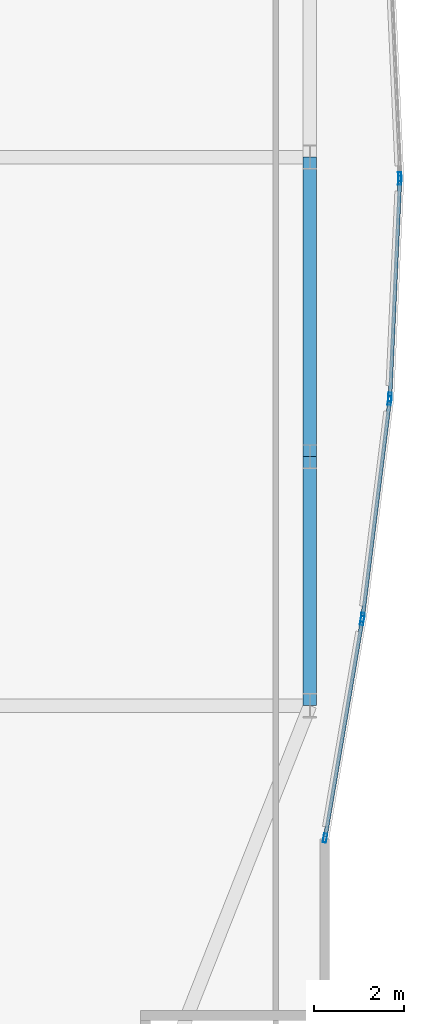
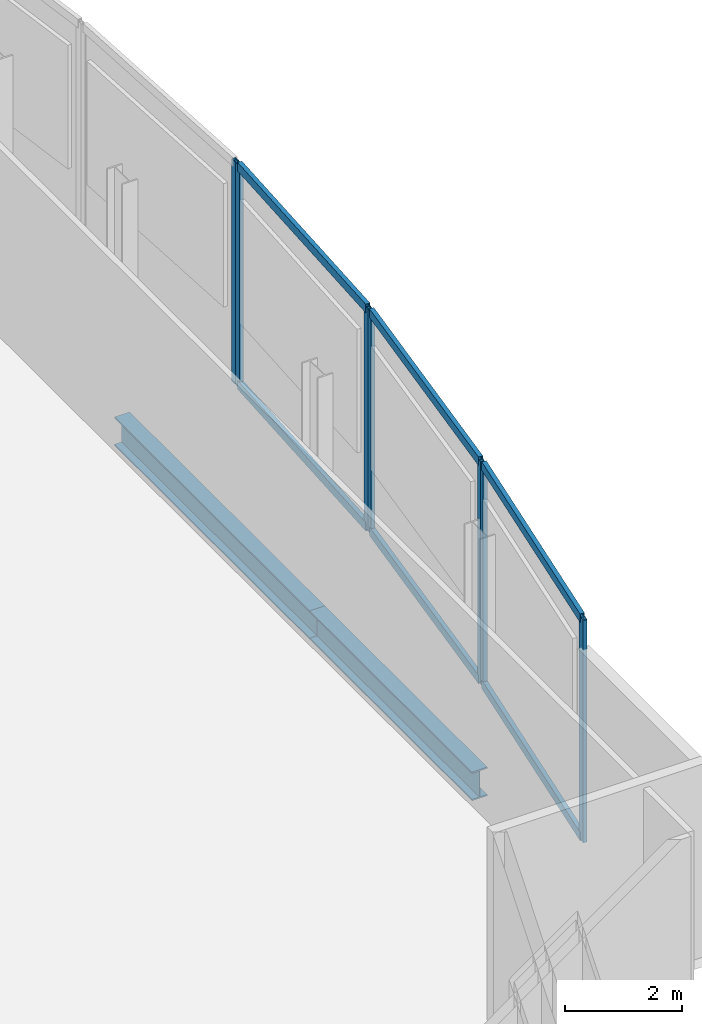
# One storey, part 21 of 30: 13 members, 2 beams, 4 elements without a shape of their own.
"""IFC4 building model written with IfcOpenShell, lengths in metres."""

import ifcopenshell
import ifcopenshell.guid

model = None  # the IFC model being written
_history = None  # IfcOwnerHistory: only IFC2X3 demands one
_inside = {}  # id of a spatial element -> (the spatial element, [elements in it])
_under = {}  # id of a project, library or spatial element -> (it, [spatial elements below it])
_declared = {}  # id of a project -> (the project, [libraries it declares])
_typed = {}  # id of a type object -> (the type object, [elements of that type])
_made_of = {}  # id of a material, layer set ... -> (it, [elements and type objects made of it])


def new_model(schema):
    """Start an empty IFC model of exactly this schema.

    Asked for "IFC4X3", IfcOpenShell would pick the latest addendum, in which some entities
    have other attributes; the version numbers below select the first issue.
    IFC2X3 requires an IfcOwnerHistory on every rooted entity: one is made here for all.
    """
    global model, _history
    if schema == "IFC4X3":
        model = ifcopenshell.file(schema_version=(4, 3, 0, 0))
    else:
        model = ifcopenshell.file(schema=schema)
    _inside.clear()
    _under.clear()
    _declared.clear()
    _typed.clear()
    _made_of.clear()
    _history = None
    if model.schema == "IFC2X3":
        org = make("IfcOrganization", Name="unknown")
        user = make(
            "IfcPersonAndOrganization",
            ThePerson=make("IfcPerson", FamilyName="unknown"),
            TheOrganization=org,
        )
        app = make(
            "IfcApplication",
            ApplicationDeveloper=org,
            Version="unknown",
            ApplicationFullName="unknown",
            ApplicationIdentifier="unknown",
        )
        _history = make(
            "IfcOwnerHistory",
            OwningUser=user,
            OwningApplication=app,
            ChangeAction="ADDED",
            CreationDate=0,
        )
    return model


def make(cls, **values):
    """One entity of the class cls with the attributes given. An attribute that is None is left unset."""
    return model.create_entity(
        cls, **{name: value for name, value in values.items() if value is not None}
    )


def rooted(cls, **values):
    """An entity with a GlobalId (a new one), such as an element, a storey or a relation."""
    return make(cls, GlobalId=ifcopenshell.guid.new(), OwnerHistory=_history, **values)


def si_unit(unit_type, name, prefix=None):
    """IfcSIUnit, for example si_unit("LENGTHUNIT", "METRE", prefix="MILLI")."""
    return make("IfcSIUnit", UnitType=unit_type, Prefix=prefix, Name=name)


def assignment(units):
    """IfcUnitAssignment: the units of a project."""
    return None if units is None else make("IfcUnitAssignment", Units=units)


def point(xyz):
    """IfcCartesianPoint."""
    return None if xyz is None else make("IfcCartesianPoint", Coordinates=xyz)


def direction(xyz):
    """IfcDirection."""
    return None if xyz is None else make("IfcDirection", DirectionRatios=xyz)


def frame(location, z_axis=None, x_axis=None):
    """IfcAxis2Placement3D, a coordinate frame: its origin and axes. An axis left out is left unset."""
    return make(
        "IfcAxis2Placement3D",
        Location=point(location),
        Axis=direction(z_axis),
        RefDirection=direction(x_axis),
    )


def frame_2d(location, x_axis=None):
    """IfcAxis2Placement2D, a coordinate frame in the plane: its origin and x axis."""
    return make(
        "IfcAxis2Placement2D", Location=point(location), RefDirection=direction(x_axis)
    )


def origin():
    """The frame at (0, 0, 0) with its axes left unset."""
    return frame((0.0, 0.0, 0.0))


def origin_2d():
    """The frame at (0, 0) in the plane with its x axis left unset."""
    return frame_2d((0.0, 0.0))


def place(relative_to, where):
    """IfcLocalPlacement: puts the frame where relative to a parent placement (None: the world)."""
    return make(
        "IfcLocalPlacement", PlacementRelTo=relative_to, RelativePlacement=where
    )


def context(
    kind, dimensions, precision=None, world=None, true_north=None, identifier=None
):
    """IfcGeometricRepresentationContext, for example the 3D "Model" context."""
    return make(
        "IfcGeometricRepresentationContext",
        ContextIdentifier=identifier,
        ContextType=kind,
        CoordinateSpaceDimension=dimensions,
        Precision=precision,
        WorldCoordinateSystem=world,
        TrueNorth=true_north,
    )


def subcontext(parent, identifier, kind, view, scale=None):
    """IfcGeometricRepresentationSubContext, for example "Body" below "Model"."""
    return make(
        "IfcGeometricRepresentationSubContext",
        ContextIdentifier=identifier,
        ContextType=kind,
        ParentContext=parent,
        TargetScale=scale,
        TargetView=view,
    )


def project(units=None, contexts=None):
    """IfcProject with its units and contexts."""
    return rooted(
        "IfcProject",
        Name="project",
        RepresentationContexts=contexts,
        UnitsInContext=assignment(units),
    )


def spatial(cls, under=None, at=None, **own):
    """A site, building, storey or space (cls), placed at a placement, below another one or the project."""
    s = rooted(cls, ObjectPlacement=at, **own)
    if under is not None:
        _under.setdefault(under.id(), (under, []))[1].append(s)
    return s


def profile(cls, at=None, kind="AREA", **sizes):
    """A parametric profile (cls). Its sizes go by their IFC names, for example OverallWidth=200.0."""
    return make(cls, ProfileType=kind, Position=at, **sizes)


def hollow_rectangle(**sizes):
    """IfcRectangleHollowProfileDef."""
    return profile("IfcRectangleHollowProfileDef", **sizes)


def i_section(**sizes):
    """IfcIShapeProfileDef."""
    return profile("IfcIShapeProfileDef", **sizes)


def extrude(swept, where, along, depth):
    """IfcExtrudedAreaSolid: the profile swept, set in the frame where, extruded along a direction by depth."""
    return make(
        "IfcExtrudedAreaSolid",
        SweptArea=swept,
        Position=where,
        ExtrudedDirection=direction(along),
        Depth=depth,
    )


def shape(context_of_items, identifier, shape_type, items):
    """IfcShapeRepresentation: the items that make up one representation, for example the "Body"."""
    return make(
        "IfcShapeRepresentation",
        ContextOfItems=context_of_items,
        RepresentationIdentifier=identifier,
        RepresentationType=shape_type,
        Items=items,
    )


def material(Name=None, Category=None):
    """IfcMaterial."""
    return make("IfcMaterial", Name=Name, Category=Category)


def material_profile(
    of_material, cross_section, Name=None, Category=None, Priority=None
):
    """IfcMaterialProfile: a cross section and its material."""
    return make(
        "IfcMaterialProfile",
        Name=Name,
        Material=of_material,
        Profile=cross_section,
        Priority=Priority,
        Category=Category,
    )


def profile_set(profiles, Name=None, composite=None):
    """IfcMaterialProfileSet."""
    return make(
        "IfcMaterialProfileSet",
        Name=Name,
        MaterialProfiles=profiles,
        CompositeProfile=composite,
    )


def made_of(thing, what):
    """Note that an element or type object is made of a material, layer set ...; save() writes the relation."""
    if what is not None:
        _made_of.setdefault(what.id(), (what, []))[1].append(thing)
    return thing


def type_object(cls, material=None, **own):
    """A type object (cls), such as IfcWallType, which elements share."""
    return made_of(rooted(cls, **own), material)


def element(
    cls,
    number,
    at=None,
    inside=None,
    cuts=None,
    type_object=None,
    material=None,
    context=None,
    identifier="Body",
    shape_type=None,
    held_by="IfcProductDefinitionShape",
    body=None,
    shapes=None,
    **own,
):
    """One element of the class cls, such as IfcWall. Its Tag is "e" and its number.

    at: its placement. inside: the storey or other place that contains it. cuts: it is an
    opening in that element (IfcRelVoidsElement). A single representation is given by context,
    identifier, shape_type and body (its items); several are given by shapes. held_by: the class
    of the entity that holds the representations. save() writes the other relations.
    """
    e = rooted(cls, Tag="e%d" % number, ObjectPlacement=at, **own)
    if body is not None:
        shapes = [shape(context, identifier, shape_type, body)]
    if shapes is not None:
        e.Representation = make(held_by, Representations=shapes)
    if inside is not None:
        _inside.setdefault(inside.id(), (inside, []))[1].append(e)
    if cuts is not None:
        rooted(
            "IfcRelVoidsElement", RelatingBuildingElement=cuts, RelatedOpeningElement=e
        )
    if type_object is not None:
        _typed.setdefault(type_object.id(), (type_object, []))[1].append(e)
    return made_of(e, material)


def aggregate(whole, parts):
    """IfcRelAggregates: a whole, such as a stair, and the parts it consists of."""
    return rooted("IfcRelAggregates", RelatingObject=whole, RelatedObjects=parts)


def save(model, path):
    """Write the relations noted so far, then the file.

    IfcRelAggregates (storeys below a building ...), IfcRelContainedInSpatialStructure (elements
    in a storey), IfcRelDefinesByType, IfcRelAssociatesMaterial and IfcRelDeclares: one each for
    every whole, place, type object, material and project.
    """
    for whole, parts in _under.values():
        aggregate(whole, parts)
    for where, things in _inside.values():
        rooted(
            "IfcRelContainedInSpatialStructure",
            RelatedElements=things,
            RelatingStructure=where,
        )
    for kind, things in _typed.values():
        rooted("IfcRelDefinesByType", RelatedObjects=things, RelatingType=kind)
    for what, things in _made_of.values():
        rooted("IfcRelAssociatesMaterial", RelatedObjects=things, RelatingMaterial=what)
    for by, libraries in _declared.values():
        rooted("IfcRelDeclares", RelatingContext=by, RelatedDefinitions=libraries)
    model.write(path)


model = new_model("IFC4")

# Units and contexts
model_context = context("Model", 3, precision=1e-05, world=origin(), true_north=direction((0.0, 1.0)))
body_context = subcontext(model_context, "Body", "Model", "MODEL_VIEW")
ifc_project = project(units=[si_unit("LENGTHUNIT", "METRE"), si_unit("AREAUNIT", "SQUARE_METRE"), si_unit("VOLUMEUNIT", "CUBIC_METRE"), si_unit("PLANEANGLEUNIT", "RADIAN"), si_unit("MASSUNIT", "GRAM", prefix="KILO")], contexts=[model_context])

# Site, building, storey
site_placement = place(None, origin())
site = spatial("IfcSite", under=ifc_project, at=site_placement, CompositionType="ELEMENT")
building_placement = place(site_placement, origin())
building = spatial("IfcBuilding", under=site, at=building_placement, Name="Khoronbel Lancet Exchange", CompositionType="ELEMENT")
storey_placement = place(building_placement, frame((0.0, 0.0, 172.199951171875)))
storey = spatial("IfcBuildingStorey", under=building, at=storey_placement, Name="L43", CompositionType="ELEMENT", Elevation=172.199951171875)

# Beams
ifc_material_1 = material(Name="Steel S355", Category="steel")
ifc_material_profile_1 = material_profile(ifc_material_1, i_section(OverallWidth=0.300048828125, OverallDepth=0.60009765625, WebThickness=0.015380859375, FlangeThickness=0.030029296875, at=origin_2d()), Name="HEB 600")
ifc_profile_set_1 = profile_set([ifc_material_profile_1], Name="Steel S355")
beam_type = type_object("IfcBeamType", Name="BM-BSP2", PredefinedType="SPANDREL", material=ifc_profile_set_1)
beam_1_placement = place(storey_placement, frame((67.6298828125, 19.199951171875, -0.52001953125), z_axis=(0.0, 1.0, 0.0), x_axis=(-1.0, 0.0, 0.0)))
element("IfcBeam", 1, at=beam_1_placement, inside=storey, type_object=beam_type, Name="Level L43 perimeter spandrel beam SP11", PredefinedType="SPANDREL", context=body_context, shape_type="SweptSolid", body=[
    extrude(i_section(OverallWidth=0.300048828125, OverallDepth=0.60009765625, WebThickness=0.015380859375, FlangeThickness=0.030029296875, at=origin_2d()), origin(), (0.0, 0.0, 1.0), 5.550048828125),
])
beam_2_placement = place(storey_placement, frame((67.6298828125, 24.75, -0.52001953125), z_axis=(0.0, 1.0, 0.0), x_axis=(-1.0, 0.0, 0.0)))
element("IfcBeam", 2, at=beam_2_placement, inside=storey, type_object=beam_type, Name="Level L43 perimeter spandrel beam SP12", PredefinedType="SPANDREL", context=body_context, shape_type="SweptSolid", body=[
    extrude(i_section(OverallWidth=0.300048828125, OverallDepth=0.60009765625, WebThickness=0.015380859375, FlangeThickness=0.030029296875, at=origin_2d()), origin(), (0.0, 0.0, 1.0), 6.675048828125),
])

# Curtain wall, member
ifc_material_2 = material(Name="Low-E Solar Control Insulating Glass", Category="glass")
curtain_wall_type = type_object("IfcCurtainWallType", Name="CW-4", PredefinedType="NOTDEFINED", material=ifc_material_2)
curtain_wall_1_placement = place(storey_placement, origin())
curtain_wall_1 = element("IfcCurtainWall", 3, at=curtain_wall_1_placement, inside=storey, type_object=curtain_wall_type, Name="Unitised curtain wall CW-L43-E19", PredefinedType="NOTDEFINED")
ifc_material_3 = material(Name="Bronze-Anodised Aluminium 6063-T6", Category="aluminium")
ifc_material_profile_2 = material_profile(ifc_material_3, hollow_rectangle(XDim=0.074951171875, YDim=0.199951171875, WallThickness=0.0048828125, at=origin_2d()), Name="ALU MULLION 75x200")
ifc_profile_set_2 = profile_set([ifc_material_profile_2], Name="Bronze-Anodised Aluminium 6063-T6")
member_type_1 = type_object("IfcMemberType", Name="MEM-CWM2", PredefinedType="MULLION", material=ifc_profile_set_2)
member_1_placement = place(storey_placement, frame((69.63427734375, 30.987548828125, 0.0), z_axis=(0.0, 0.0, 1.0), x_axis=(0.998959668299, 0.045602424407, 0.0)))
member_1 = element("IfcMember", 4, at=member_1_placement, type_object=member_type_1, Name="CW4 mullion 2", PredefinedType="MULLION", context=body_context, shape_type="SweptSolid", body=[
    extrude(hollow_rectangle(XDim=0.074951171875, YDim=0.199951171875, WallThickness=0.0048828125, at=origin_2d()), origin(), (0.0, 0.0, 1.0), 4.64013671875),
])
aggregate(curtain_wall_1, [member_1])

# Curtain wall, members
curtain_wall_2_placement = place(storey_placement, origin())
curtain_wall_2 = element("IfcCurtainWall", 5, at=curtain_wall_2_placement, inside=storey, type_object=curtain_wall_type, Name="Unitised curtain wall CW-L43-E20", PredefinedType="NOTDEFINED")
member_2_placement = place(storey_placement, frame((69.63427734375, 30.91259765625, 0.0), z_axis=(0.0, 0.0, 1.0), x_axis=(0.998959668299, -0.045602424407, 0.0)))
member_2 = element("IfcMember", 6, at=member_2_placement, type_object=member_type_1, Name="CW4 mullion 1", PredefinedType="MULLION", context=body_context, shape_type="SweptSolid", body=[
    extrude(hollow_rectangle(XDim=0.074951171875, YDim=0.199951171875, WallThickness=0.0048828125, at=origin_2d()), origin(), (0.0, 0.0, 1.0), 4.64013671875),
])
member_3_placement = place(storey_placement, frame((69.41357421875, 26.078369140625, 0.0), z_axis=(0.0, 0.0, 1.0), x_axis=(0.998959668299, -0.045602424407, 0.0)))
member_3 = element("IfcMember", 7, at=member_3_placement, type_object=member_type_1, Name="CW4 mullion 2", PredefinedType="MULLION", context=body_context, shape_type="SweptSolid", body=[
    extrude(hollow_rectangle(XDim=0.074951171875, YDim=0.199951171875, WallThickness=0.0048828125, at=origin_2d()), origin(), (0.0, 0.0, 1.0), 4.64013671875),
])

curtain_wall_3_placement = place(storey_placement, origin())
curtain_wall_3 = element("IfcCurtainWall", 8, at=curtain_wall_3_placement, inside=storey, type_object=curtain_wall_type, Name="Unitised curtain wall CW-L43-E21", PredefinedType="NOTDEFINED")
member_4_placement = place(storey_placement, frame((69.4072265625, 26.003662109375, 0.0), z_axis=(0.0, 0.0, 1.0), x_axis=(0.992302414475, -0.123838274483, 0.0)))
member_4 = element("IfcMember", 9, at=member_4_placement, type_object=member_type_1, Name="CW4 mullion 1", PredefinedType="MULLION", context=body_context, shape_type="SweptSolid", body=[
    extrude(hollow_rectangle(XDim=0.074951171875, YDim=0.199951171875, WallThickness=0.0048828125, at=origin_2d()), origin(), (0.0, 0.0, 1.0), 4.64013671875),
])
member_5_placement = place(storey_placement, frame((68.803466796875, 21.1669921875, 0.0), z_axis=(0.0, 0.0, 1.0), x_axis=(0.992302414475, -0.123838274483, 0.0)))
member_5 = element("IfcMember", 10, at=member_5_placement, type_object=member_type_1, Name="CW4 mullion 2", PredefinedType="MULLION", context=body_context, shape_type="SweptSolid", body=[
    extrude(hollow_rectangle(XDim=0.074951171875, YDim=0.199951171875, WallThickness=0.0048828125, at=origin_2d()), origin(), (0.0, 0.0, 1.0), 4.64013671875),
])

curtain_wall_4_placement = place(storey_placement, origin())
curtain_wall_4 = element("IfcCurtainWall", 11, at=curtain_wall_4_placement, inside=storey, type_object=curtain_wall_type, Name="Unitised curtain wall CW-L43-E22", PredefinedType="NOTDEFINED")
member_6_placement = place(storey_placement, frame((68.79248046875, 21.0927734375, 0.0), z_axis=(0.0, 0.0, 1.0), x_axis=(0.985785410135, -0.168009300828, 0.0)))
member_6 = element("IfcMember", 12, at=member_6_placement, type_object=member_type_1, Name="CW4 mullion 1", PredefinedType="MULLION", context=body_context, shape_type="SweptSolid", body=[
    extrude(hollow_rectangle(XDim=0.074951171875, YDim=0.199951171875, WallThickness=0.0048828125, at=origin_2d()), origin(), (0.0, 0.0, 1.0), 4.64013671875),
])
member_7_placement = place(storey_placement, frame((67.96630859375, 16.24462890625, 0.0), z_axis=(0.0, 0.0, 1.0), x_axis=(0.985785410135, -0.168009300828, 0.0)))
member_7 = element("IfcMember", 13, at=member_7_placement, type_object=member_type_1, Name="CW4 mullion 2", PredefinedType="MULLION", context=body_context, shape_type="SweptSolid", body=[
    extrude(hollow_rectangle(XDim=0.074951171875, YDim=0.199951171875, WallThickness=0.0048828125, at=origin_2d()), origin(), (0.0, 0.0, 1.0), 4.64013671875),
])

# Member
ifc_material_profile_3 = material_profile(ifc_material_3, hollow_rectangle(XDim=0.0849609375, YDim=0.179931640625, WallThickness=0.0048828125, at=origin_2d()), Name="ALU TRANSOM 85x180")
ifc_profile_set_3 = profile_set([ifc_material_profile_3], Name="Bronze-Anodised Aluminium 6063-T6")
member_type_2 = type_object("IfcMemberType", Name="MEM-CWT1", PredefinedType="USERDEFINED", material=ifc_profile_set_3)
member_8_placement = place(storey_placement, frame((69.632568359375, 30.875, 0.04248046875), z_axis=(-0.045607566219, -0.998959433563, 0.0), x_axis=(0.998959433563, -0.045607566219, 0.0)))
member_8 = element("IfcMember", 14, at=member_8_placement, type_object=member_type_2, Name="CW4 transom 1.1", ObjectType="TRANSOM", PredefinedType="USERDEFINED", context=body_context, shape_type="SweptSolid", body=[
    extrude(hollow_rectangle(XDim=0.0849609375, YDim=0.179931640625, WallThickness=0.0048828125, at=origin_2d()), origin(), (0.0, 0.0, 1.0), 4.76416015625),
])

member_9_placement = place(storey_placement, frame((69.632568359375, 30.875, 4.59765625), z_axis=(-0.045607566219, -0.998959433563, 0.0), x_axis=(0.998959433563, -0.045607566219, 0.0)))
member_9 = element("IfcMember", 15, at=member_9_placement, type_object=member_type_2, Name="CW4 transom 1.2", ObjectType="TRANSOM", PredefinedType="USERDEFINED", context=body_context, shape_type="SweptSolid", body=[
    extrude(hollow_rectangle(XDim=0.0849609375, YDim=0.179931640625, WallThickness=0.0048828125, at=origin_2d()), origin(), (0.0, 0.0, 1.0), 4.76416015625),
])

aggregate(curtain_wall_2, [member_2, member_3, member_8, member_9])

member_10_placement = place(storey_placement, frame((69.402587890625, 25.966552734375, 0.04248046875), z_axis=(-0.123865691631, -0.99229899246, 0.0), x_axis=(0.99229899246, -0.123865691631, 0.0)))
member_10 = element("IfcMember", 16, at=member_10_placement, type_object=member_type_2, Name="CW4 transom 1.1", ObjectType="TRANSOM", PredefinedType="USERDEFINED", context=body_context, shape_type="SweptSolid", body=[
    extrude(hollow_rectangle(XDim=0.0849609375, YDim=0.179931640625, WallThickness=0.0048828125, at=origin_2d()), origin(), (0.0, 0.0, 1.0), 4.79931640625),
])

member_11_placement = place(storey_placement, frame((69.402587890625, 25.966552734375, 4.59765625), z_axis=(-0.123865691631, -0.99229899246, 0.0), x_axis=(0.99229899246, -0.123865691631, 0.0)))
member_11 = element("IfcMember", 17, at=member_11_placement, type_object=member_type_2, Name="CW4 transom 1.2", ObjectType="TRANSOM", PredefinedType="USERDEFINED", context=body_context, shape_type="SweptSolid", body=[
    extrude(hollow_rectangle(XDim=0.0849609375, YDim=0.179931640625, WallThickness=0.0048828125, at=origin_2d()), origin(), (0.0, 0.0, 1.0), 4.79931640625),
])

aggregate(curtain_wall_3, [member_4, member_5, member_10, member_11])

member_12_placement = place(storey_placement, frame((68.786376953125, 21.055908203125, 0.04248046875), z_axis=(-0.168010934942, -0.985785131629, 0.0), x_axis=(0.985785131629, -0.168010934942, 0.0)))
member_12 = element("IfcMember", 18, at=member_12_placement, type_object=member_type_2, Name="CW4 transom 1.1", ObjectType="TRANSOM", PredefinedType="USERDEFINED", context=body_context, shape_type="SweptSolid", body=[
    extrude(hollow_rectangle(XDim=0.0849609375, YDim=0.179931640625, WallThickness=0.0048828125, at=origin_2d()), origin(), (0.0, 0.0, 1.0), 4.84326171875),
])

member_13_placement = place(storey_placement, frame((68.786376953125, 21.055908203125, 4.59765625), z_axis=(-0.168010934942, -0.985785131629, 0.0), x_axis=(0.985785131629, -0.168010934942, 0.0)))
member_13 = element("IfcMember", 19, at=member_13_placement, type_object=member_type_2, Name="CW4 transom 1.2", ObjectType="TRANSOM", PredefinedType="USERDEFINED", context=body_context, shape_type="SweptSolid", body=[
    extrude(hollow_rectangle(XDim=0.0849609375, YDim=0.179931640625, WallThickness=0.0048828125, at=origin_2d()), origin(), (0.0, 0.0, 1.0), 4.84326171875),
])

aggregate(curtain_wall_4, [member_6, member_7, member_12, member_13])

save(model, "model.ifc")
